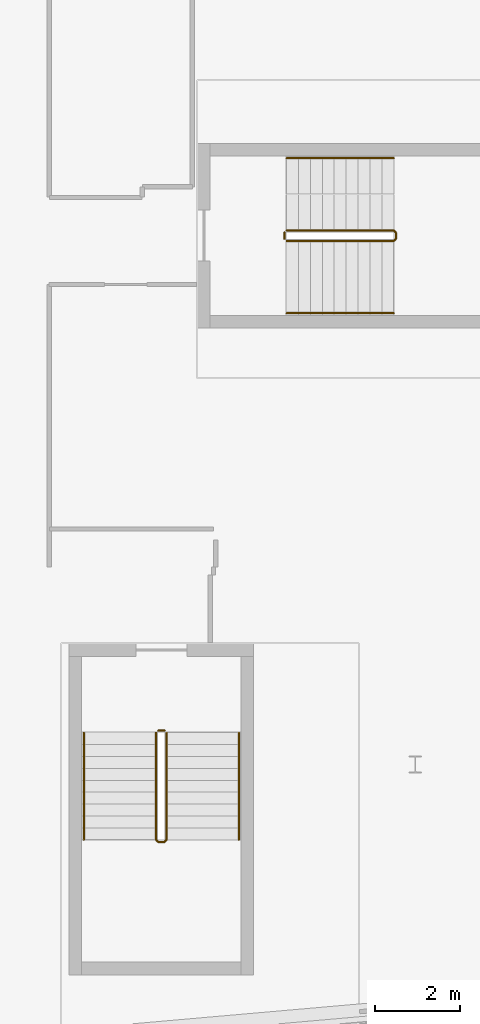
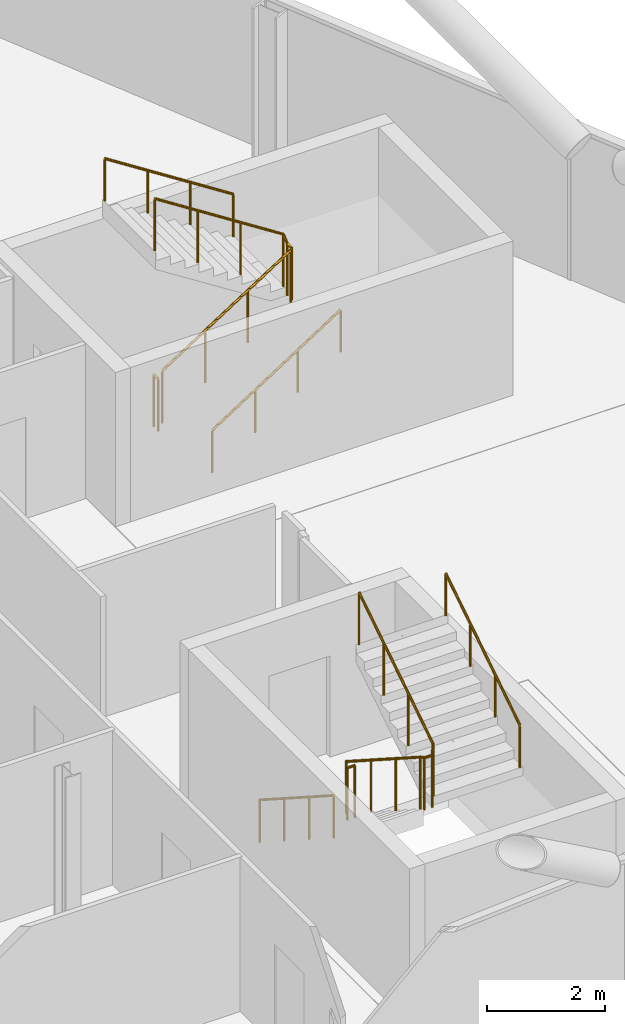
# One storey, part 26 of 27: 8 railings.
"""IFC4 building model written with IfcOpenShell, lengths in metres."""

import ifcopenshell
import ifcopenshell.guid

model = None  # the IFC model being written
_history = None  # IfcOwnerHistory: only IFC2X3 demands one
_inside = {}  # id of a spatial element -> (the spatial element, [elements in it])
_under = {}  # id of a project, library or spatial element -> (it, [spatial elements below it])
_declared = {}  # id of a project -> (the project, [libraries it declares])
_typed = {}  # id of a type object -> (the type object, [elements of that type])
_made_of = {}  # id of a material, layer set ... -> (it, [elements and type objects made of it])


def new_model(schema):
    """Start an empty IFC model of exactly this schema.

    Asked for "IFC4X3", IfcOpenShell would pick the latest addendum, in which some entities
    have other attributes; the version numbers below select the first issue.
    IFC2X3 requires an IfcOwnerHistory on every rooted entity: one is made here for all.
    """
    global model, _history
    if schema == "IFC4X3":
        model = ifcopenshell.file(schema_version=(4, 3, 0, 0))
    else:
        model = ifcopenshell.file(schema=schema)
    _inside.clear()
    _under.clear()
    _declared.clear()
    _typed.clear()
    _made_of.clear()
    _history = None
    if model.schema == "IFC2X3":
        org = make("IfcOrganization", Name="unknown")
        user = make(
            "IfcPersonAndOrganization",
            ThePerson=make("IfcPerson", FamilyName="unknown"),
            TheOrganization=org,
        )
        app = make(
            "IfcApplication",
            ApplicationDeveloper=org,
            Version="unknown",
            ApplicationFullName="unknown",
            ApplicationIdentifier="unknown",
        )
        _history = make(
            "IfcOwnerHistory",
            OwningUser=user,
            OwningApplication=app,
            ChangeAction="ADDED",
            CreationDate=0,
        )
    return model


def make(cls, **values):
    """One entity of the class cls with the attributes given. An attribute that is None is left unset."""
    return model.create_entity(
        cls, **{name: value for name, value in values.items() if value is not None}
    )


def rooted(cls, **values):
    """An entity with a GlobalId (a new one), such as an element, a storey or a relation."""
    return make(cls, GlobalId=ifcopenshell.guid.new(), OwnerHistory=_history, **values)


def si_unit(unit_type, name, prefix=None):
    """IfcSIUnit, for example si_unit("LENGTHUNIT", "METRE", prefix="MILLI")."""
    return make("IfcSIUnit", UnitType=unit_type, Prefix=prefix, Name=name)


def assignment(units):
    """IfcUnitAssignment: the units of a project."""
    return None if units is None else make("IfcUnitAssignment", Units=units)


def point(xyz):
    """IfcCartesianPoint."""
    return None if xyz is None else make("IfcCartesianPoint", Coordinates=xyz)


def direction(xyz):
    """IfcDirection."""
    return None if xyz is None else make("IfcDirection", DirectionRatios=xyz)


def frame(location, z_axis=None, x_axis=None):
    """IfcAxis2Placement3D, a coordinate frame: its origin and axes. An axis left out is left unset."""
    return make(
        "IfcAxis2Placement3D",
        Location=point(location),
        Axis=direction(z_axis),
        RefDirection=direction(x_axis),
    )


def frame_2d(location, x_axis=None):
    """IfcAxis2Placement2D, a coordinate frame in the plane: its origin and x axis."""
    return make(
        "IfcAxis2Placement2D", Location=point(location), RefDirection=direction(x_axis)
    )


def origin():
    """The frame at (0, 0, 0) with its axes left unset."""
    return frame((0.0, 0.0, 0.0))


def origin_2d():
    """The frame at (0, 0) in the plane with its x axis left unset."""
    return frame_2d((0.0, 0.0))


def place(relative_to, where):
    """IfcLocalPlacement: puts the frame where relative to a parent placement (None: the world)."""
    return make(
        "IfcLocalPlacement", PlacementRelTo=relative_to, RelativePlacement=where
    )


def context(
    kind, dimensions, precision=None, world=None, true_north=None, identifier=None
):
    """IfcGeometricRepresentationContext, for example the 3D "Model" context."""
    return make(
        "IfcGeometricRepresentationContext",
        ContextIdentifier=identifier,
        ContextType=kind,
        CoordinateSpaceDimension=dimensions,
        Precision=precision,
        WorldCoordinateSystem=world,
        TrueNorth=true_north,
    )


def subcontext(parent, identifier, kind, view, scale=None):
    """IfcGeometricRepresentationSubContext, for example "Body" below "Model"."""
    return make(
        "IfcGeometricRepresentationSubContext",
        ContextIdentifier=identifier,
        ContextType=kind,
        ParentContext=parent,
        TargetScale=scale,
        TargetView=view,
    )


def project(units=None, contexts=None):
    """IfcProject with its units and contexts."""
    return rooted(
        "IfcProject",
        Name="project",
        RepresentationContexts=contexts,
        UnitsInContext=assignment(units),
    )


def spatial(cls, under=None, at=None, **own):
    """A site, building, storey or space (cls), placed at a placement, below another one or the project."""
    s = rooted(cls, ObjectPlacement=at, **own)
    if under is not None:
        _under.setdefault(under.id(), (under, []))[1].append(s)
    return s


def profile(cls, at=None, kind="AREA", **sizes):
    """A parametric profile (cls). Its sizes go by their IFC names, for example OverallWidth=200.0."""
    return make(cls, ProfileType=kind, Position=at, **sizes)


def circle(**sizes):
    """IfcCircleProfileDef."""
    return profile("IfcCircleProfileDef", **sizes)


def extrude(swept, where, along, depth):
    """IfcExtrudedAreaSolid: the profile swept, set in the frame where, extruded along a direction by depth."""
    return make(
        "IfcExtrudedAreaSolid",
        SweptArea=swept,
        Position=where,
        ExtrudedDirection=direction(along),
        Depth=depth,
    )


def shape(context_of_items, identifier, shape_type, items):
    """IfcShapeRepresentation: the items that make up one representation, for example the "Body"."""
    return make(
        "IfcShapeRepresentation",
        ContextOfItems=context_of_items,
        RepresentationIdentifier=identifier,
        RepresentationType=shape_type,
        Items=items,
    )


def material(Name=None, Category=None):
    """IfcMaterial."""
    return make("IfcMaterial", Name=Name, Category=Category)


def made_of(thing, what):
    """Note that an element or type object is made of a material, layer set ...; save() writes the relation."""
    if what is not None:
        _made_of.setdefault(what.id(), (what, []))[1].append(thing)
    return thing


def type_object(cls, material=None, **own):
    """A type object (cls), such as IfcWallType, which elements share."""
    return made_of(rooted(cls, **own), material)


def element(
    cls,
    number,
    at=None,
    inside=None,
    cuts=None,
    type_object=None,
    material=None,
    context=None,
    identifier="Body",
    shape_type=None,
    held_by="IfcProductDefinitionShape",
    body=None,
    shapes=None,
    **own,
):
    """One element of the class cls, such as IfcWall. Its Tag is "e" and its number.

    at: its placement. inside: the storey or other place that contains it. cuts: it is an
    opening in that element (IfcRelVoidsElement). A single representation is given by context,
    identifier, shape_type and body (its items); several are given by shapes. held_by: the class
    of the entity that holds the representations. save() writes the other relations.
    """
    e = rooted(cls, Tag="e%d" % number, ObjectPlacement=at, **own)
    if body is not None:
        shapes = [shape(context, identifier, shape_type, body)]
    if shapes is not None:
        e.Representation = make(held_by, Representations=shapes)
    if inside is not None:
        _inside.setdefault(inside.id(), (inside, []))[1].append(e)
    if cuts is not None:
        rooted(
            "IfcRelVoidsElement", RelatingBuildingElement=cuts, RelatedOpeningElement=e
        )
    if type_object is not None:
        _typed.setdefault(type_object.id(), (type_object, []))[1].append(e)
    return made_of(e, material)


def aggregate(whole, parts):
    """IfcRelAggregates: a whole, such as a stair, and the parts it consists of."""
    return rooted("IfcRelAggregates", RelatingObject=whole, RelatedObjects=parts)


def save(model, path):
    """Write the relations noted so far, then the file.

    IfcRelAggregates (storeys below a building ...), IfcRelContainedInSpatialStructure (elements
    in a storey), IfcRelDefinesByType, IfcRelAssociatesMaterial and IfcRelDeclares: one each for
    every whole, place, type object, material and project.
    """
    for whole, parts in _under.values():
        aggregate(whole, parts)
    for where, things in _inside.values():
        rooted(
            "IfcRelContainedInSpatialStructure",
            RelatedElements=things,
            RelatingStructure=where,
        )
    for kind, things in _typed.values():
        rooted("IfcRelDefinesByType", RelatedObjects=things, RelatingType=kind)
    for what, things in _made_of.values():
        rooted("IfcRelAssociatesMaterial", RelatedObjects=things, RelatingMaterial=what)
    for by, libraries in _declared.values():
        rooted("IfcRelDeclares", RelatingContext=by, RelatedDefinitions=libraries)
    model.write(path)


model = new_model("IFC4")

# Units and contexts
model_context = context("Model", 3, precision=1e-05, world=origin(), true_north=direction((0.0, 1.0)))
body_context = subcontext(model_context, "Body", "Model", "MODEL_VIEW")
ifc_project = project(units=[si_unit("LENGTHUNIT", "METRE"), si_unit("AREAUNIT", "SQUARE_METRE"), si_unit("VOLUMEUNIT", "CUBIC_METRE"), si_unit("PLANEANGLEUNIT", "RADIAN"), si_unit("MASSUNIT", "GRAM", prefix="KILO")], contexts=[model_context])

# Site, building, storey
site_placement = place(None, origin())
site = spatial("IfcSite", under=ifc_project, at=site_placement, CompositionType="ELEMENT")
building_placement = place(site_placement, origin())
building = spatial("IfcBuilding", under=site, at=building_placement, Name="Wharfspan Tower", CompositionType="ELEMENT")
storey_placement = place(building_placement, frame((0.0, 0.0, 228.699951)))
storey = spatial("IfcBuildingStorey", under=building, at=storey_placement, Name="L57", CompositionType="ELEMENT", Elevation=228.699951)

# Railings
ifc_material = material(Name="Steel S355J2", Category="steel")
railing_type_1 = type_object("IfcRailingType", Name="Stair guard 1100", PredefinedType="GUARDRAIL", material=ifc_material)
railing_1_placement = place(storey_placement, frame((65.893799, 12.246094, 0.179932)))
element("IfcRailing", 1, at=railing_1_placement, inside=storey, type_object=railing_type_1, Name="L57 ST5 stair guard 1", PredefinedType="GUARDRAIL", context=body_context, shape_type="SweptSolid", body=[
    extrude(circle(Radius=0.023926, at=origin_2d()), frame((0.0, 0.0, 1.076172), z_axis=(0.0, -0.841163, 0.540782), x_axis=(1.0, 0.0, 0.0)), (0.0, 0.0, 1.0), 2.99585),
    extrude(circle(Radius=0.023926, at=origin_2d()), frame((0.0, -2.52002, 2.696289), z_axis=(0.708834, -0.705376, 0.0), x_axis=(0.705376, 0.708834, 0.0)), (0.0, 0.0, 1.0), 0.070557),
    extrude(circle(Radius=0.023926, at=origin_2d()), frame((0.050049, -2.569824, 2.696289), z_axis=(1.0, 0.0, 0.0), x_axis=(0.0, 1.0, 0.0)), (0.0, 0.0, 1.0), 0.149902),
    extrude(circle(Radius=0.023926, at=origin_2d()), frame((0.199951, -2.569824, 2.696289), z_axis=(0.258932, 0.257669, 0.930892), x_axis=(-0.705372, 0.708833, -1e-06)), (0.0, 0.0, 1.0), 0.193359),
    extrude(circle(Radius=0.023926, at=origin_2d()), frame((0.25, -2.52002, 2.875977), z_axis=(0.0, 0.841163, 0.540782), x_axis=(-1.0, 0.0, 0.0)), (0.0, 0.0, 1.0), 2.99585),
    extrude(circle(Radius=0.020996, at=origin_2d()), origin(), (0.0, 0.0, 1.0), 1.052002),
    extrude(circle(Radius=0.020996, at=origin_2d()), frame((0.0, -0.840088, 0.540039)), (0.0, 0.0, 1.0), 1.052002),
    extrude(circle(Radius=0.020996, at=origin_2d()), frame((0.0, -1.679932, 1.080078)), (0.0, 0.0, 1.0), 1.052002),
    extrude(circle(Radius=0.020996, at=origin_2d()), frame((0.0, -2.52002, 1.620117)), (0.0, 0.0, 1.0), 1.052002),
    extrude(circle(Radius=0.020996, at=origin_2d()), frame((0.050049, -2.569824, 1.620117)), (0.0, 0.0, 1.0), 1.052002),
    extrude(circle(Radius=0.020996, at=origin_2d()), frame((0.199951, -2.569824, 1.620117)), (0.0, 0.0, 1.0), 1.052002),
    extrude(circle(Radius=0.020996, at=origin_2d()), frame((0.25, -2.52002, 1.800049)), (0.0, 0.0, 1.0), 1.052002),
    extrude(circle(Radius=0.020996, at=origin_2d()), frame((0.25, -1.679932, 2.340088)), (0.0, 0.0, 1.0), 1.052002),
    extrude(circle(Radius=0.020996, at=origin_2d()), frame((0.25, -0.840088, 2.880127)), (0.0, 0.0, 1.0), 1.052002),
    extrude(circle(Radius=0.020996, at=origin_2d()), frame((0.25, 0.0, 3.420166)), (0.0, 0.0, 1.0), 1.052002),
])
railing_2_placement = place(storey_placement, frame((65.943848, 12.296143, 0.0)))
element("IfcRailing", 2, at=railing_2_placement, inside=storey, type_object=railing_type_1, Name="L57 ST5 stair guard 2", PredefinedType="GUARDRAIL", context=body_context, shape_type="SweptSolid", body=[
    extrude(circle(Radius=0.023926, at=origin_2d()), frame((0.0, 0.0, 1.076172), z_axis=(1.0, 0.0, 0.0), x_axis=(0.0, 1.0, 0.0)), (0.0, 0.0, 1.0), 0.149902),
    extrude(circle(Radius=0.020996, at=origin_2d()), origin(), (0.0, 0.0, 1.0), 1.052002),
    extrude(circle(Radius=0.020996, at=origin_2d()), frame((0.149902, 0.0, 0.0)), (0.0, 0.0, 1.0), 1.052002),
])
railing_3_placement = place(storey_placement, frame((68.969482, 23.824951, 0.179932)))
element("IfcRailing", 3, at=railing_3_placement, inside=storey, type_object=railing_type_1, Name="L57 ST6 stair guard 1", PredefinedType="GUARDRAIL", context=body_context, shape_type="SweptSolid", body=[
    extrude(circle(Radius=0.023926, at=origin_2d()), frame((0.0, 0.0, 1.076172), z_axis=(0.841163, 0.0, 0.540782), x_axis=(0.0, 1.0, 0.0)), (0.0, 0.0, 1.0), 2.99585),
    extrude(circle(Radius=0.023926, at=origin_2d()), frame((2.52002, 0.0, 2.696289), z_axis=(0.707107, 0.707107, 0.0), x_axis=(-0.707107, 0.707107, 0.0)), (0.0, 0.0, 1.0), 0.070801),
    extrude(circle(Radius=0.023926, at=origin_2d()), frame((2.570068, 0.050049, 2.696289), z_axis=(0.0, 1.0, 0.0), x_axis=(-1.0, 0.0, 0.0)), (0.0, 0.0, 1.0), 0.149902),
    extrude(circle(Radius=0.023926, at=origin_2d()), frame((2.570068, 0.199951, 2.696289), z_axis=(-0.258848, 0.258848, 0.930589), x_axis=(-0.707107, -0.707107, 0.0)), (0.0, 0.0, 1.0), 0.193359),
    extrude(circle(Radius=0.023926, at=origin_2d()), frame((2.52002, 0.25, 2.875977), z_axis=(-0.841163, 0.0, 0.540782), x_axis=(0.0, -1.0, 0.0)), (0.0, 0.0, 1.0), 2.99585),
    extrude(circle(Radius=0.020996, at=origin_2d()), origin(), (0.0, 0.0, 1.0), 1.052002),
    extrude(circle(Radius=0.020996, at=origin_2d()), frame((0.840088, 0.0, 0.540039)), (0.0, 0.0, 1.0), 1.052002),
    extrude(circle(Radius=0.020996, at=origin_2d()), frame((1.679932, 0.0, 1.080078)), (0.0, 0.0, 1.0), 1.052002),
    extrude(circle(Radius=0.020996, at=origin_2d()), frame((2.52002, 0.0, 1.620117)), (0.0, 0.0, 1.0), 1.052002),
    extrude(circle(Radius=0.020996, at=origin_2d()), frame((2.570068, 0.050049, 1.620117)), (0.0, 0.0, 1.0), 1.052002),
    extrude(circle(Radius=0.020996, at=origin_2d()), frame((2.570068, 0.199951, 1.620117)), (0.0, 0.0, 1.0), 1.052002),
    extrude(circle(Radius=0.020996, at=origin_2d()), frame((2.52002, 0.25, 1.800049)), (0.0, 0.0, 1.0), 1.052002),
    extrude(circle(Radius=0.020996, at=origin_2d()), frame((1.679932, 0.25, 2.340088)), (0.0, 0.0, 1.0), 1.052002),
    extrude(circle(Radius=0.020996, at=origin_2d()), frame((0.840088, 0.25, 2.880127)), (0.0, 0.0, 1.0), 1.052002),
    extrude(circle(Radius=0.020996, at=origin_2d()), frame((0.0, 0.25, 3.420166)), (0.0, 0.0, 1.0), 1.052002),
])
railing_4_placement = place(storey_placement, frame((68.919678, 23.875, 0.0)))
element("IfcRailing", 4, at=railing_4_placement, inside=storey, type_object=railing_type_1, Name="L57 ST6 stair guard 2", PredefinedType="GUARDRAIL", context=body_context, shape_type="SweptSolid", body=[
    extrude(circle(Radius=0.023926, at=origin_2d()), frame((0.0, 0.0, 1.076172), z_axis=(0.0, 1.0, 0.0), x_axis=(-1.0, 0.0, 0.0)), (0.0, 0.0, 1.0), 0.149902),
    extrude(circle(Radius=0.020996, at=origin_2d()), origin(), (0.0, 0.0, 1.0), 1.052002),
    extrude(circle(Radius=0.020996, at=origin_2d()), frame((0.0, 0.149902, 0.0)), (0.0, 0.0, 1.0), 1.052002),
])
railing_type_2 = type_object("IfcRailingType", Name="Stair handrail 900", PredefinedType="HANDRAIL", material=ifc_material)
railing_5_placement = place(storey_placement, frame((64.193848, 12.246094, 0.179932)))
element("IfcRailing", 5, at=railing_5_placement, inside=storey, type_object=railing_type_2, Name="L57 ST5 stair handrail 1", PredefinedType="HANDRAIL", context=body_context, shape_type="SweptSolid", body=[
    extrude(circle(Radius=0.023926, at=origin_2d()), frame((0.0, 0.0, 0.875977), z_axis=(0.0, -0.841163, 0.540782), x_axis=(1.0, 0.0, 0.0)), (0.0, 0.0, 1.0), 2.99585),
    extrude(circle(Radius=0.020996, at=origin_2d()), origin(), (0.0, 0.0, 1.0), 0.851807),
    extrude(circle(Radius=0.020996, at=origin_2d()), frame((0.0, -0.840088, 0.540039)), (0.0, 0.0, 1.0), 0.851807),
    extrude(circle(Radius=0.020996, at=origin_2d()), frame((0.0, -1.679932, 1.080078)), (0.0, 0.0, 1.0), 0.851807),
    extrude(circle(Radius=0.020996, at=origin_2d()), frame((0.0, -2.52002, 1.620117)), (0.0, 0.0, 1.0), 0.851807),
])
railing_6_placement = place(storey_placement, frame((67.84375, 9.726074, 1.97998)))
element("IfcRailing", 6, at=railing_6_placement, inside=storey, type_object=railing_type_2, Name="L57 ST5 stair handrail 2", PredefinedType="HANDRAIL", context=body_context, shape_type="SweptSolid", body=[
    extrude(circle(Radius=0.023926, at=origin_2d()), frame((0.0, 0.0, 0.875977), z_axis=(0.0, 0.841163, 0.540782), x_axis=(-1.0, 0.0, 0.0)), (0.0, 0.0, 1.0), 2.99585),
    extrude(circle(Radius=0.020996, at=origin_2d()), origin(), (0.0, 0.0, 1.0), 0.851807),
    extrude(circle(Radius=0.020996, at=origin_2d()), frame((0.0, 0.840088, 0.540039)), (0.0, 0.0, 1.0), 0.851807),
    extrude(circle(Radius=0.020996, at=origin_2d()), frame((0.0, 1.679932, 1.080078)), (0.0, 0.0, 1.0), 0.851807),
    extrude(circle(Radius=0.020996, at=origin_2d()), frame((0.0, 2.52002, 1.620117)), (0.0, 0.0, 1.0), 0.851807),
])
railing_7_placement = place(storey_placement, frame((68.969482, 22.125, 0.179932)))
element("IfcRailing", 7, at=railing_7_placement, inside=storey, type_object=railing_type_2, Name="L57 ST6 stair handrail 1", PredefinedType="HANDRAIL", context=body_context, shape_type="SweptSolid", body=[
    extrude(circle(Radius=0.023926, at=origin_2d()), frame((0.0, 0.0, 0.875977), z_axis=(0.841163, 0.0, 0.540782), x_axis=(0.0, 1.0, 0.0)), (0.0, 0.0, 1.0), 2.99585),
    extrude(circle(Radius=0.020996, at=origin_2d()), origin(), (0.0, 0.0, 1.0), 0.851807),
    extrude(circle(Radius=0.020996, at=origin_2d()), frame((0.840088, 0.0, 0.540039)), (0.0, 0.0, 1.0), 0.851807),
    extrude(circle(Radius=0.020996, at=origin_2d()), frame((1.679932, 0.0, 1.080078)), (0.0, 0.0, 1.0), 0.851807),
    extrude(circle(Radius=0.020996, at=origin_2d()), frame((2.52002, 0.0, 1.620117)), (0.0, 0.0, 1.0), 0.851807),
])
railing_8_placement = place(storey_placement, frame((71.489502, 25.774902, 1.97998)))
element("IfcRailing", 8, at=railing_8_placement, inside=storey, type_object=railing_type_2, Name="L57 ST6 stair handrail 2", PredefinedType="HANDRAIL", context=body_context, shape_type="SweptSolid", body=[
    extrude(circle(Radius=0.023926, at=origin_2d()), frame((0.0, 0.0, 0.875977), z_axis=(-0.841163, 0.0, 0.540782), x_axis=(0.0, -1.0, 0.0)), (0.0, 0.0, 1.0), 2.99585),
    extrude(circle(Radius=0.020996, at=origin_2d()), origin(), (0.0, 0.0, 1.0), 0.851807),
    extrude(circle(Radius=0.020996, at=origin_2d()), frame((-0.840088, 0.0, 0.540039)), (0.0, 0.0, 1.0), 0.851807),
    extrude(circle(Radius=0.020996, at=origin_2d()), frame((-1.679932, 0.0, 1.080078)), (0.0, 0.0, 1.0), 0.851807),
    extrude(circle(Radius=0.020996, at=origin_2d()), frame((-2.52002, 0.0, 1.620117)), (0.0, 0.0, 1.0), 0.851807),
])

save(model, "model.ifc")
